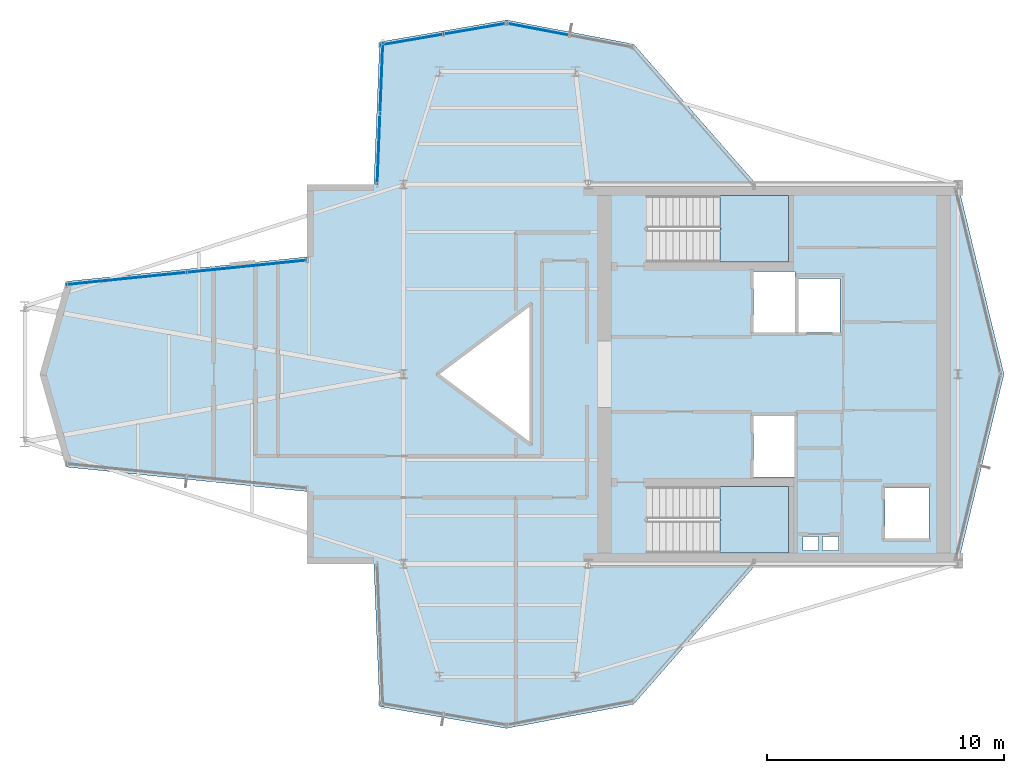
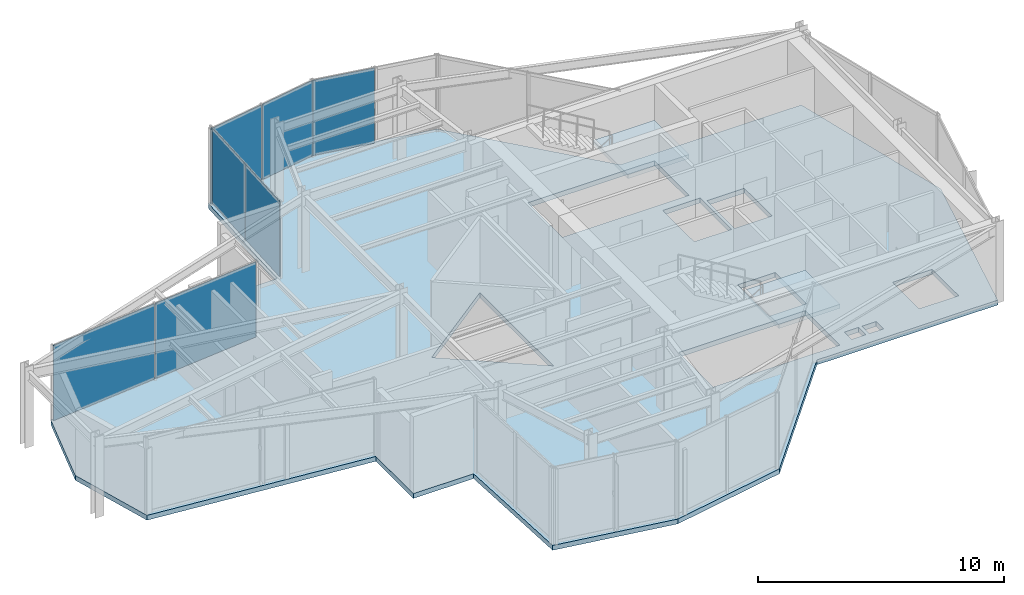
# One storey, part 10 of 14: 7 plates, 3 slabs, 6 elements without a shape of their own.
"""IFC4 building model written with IfcOpenShell, lengths in metres."""

from ifc_helpers import new_model, si_unit, direction, frame, origin, origin_2d, place, context, subcontext, project, spatial, polyline, rectangle, outline, extrude, material, layer, layer_set, type_object, element, aggregate, save


model = new_model("IFC4")

# Units and contexts
model_context = context("Model", 3, precision=1e-05, world=origin(), true_north=direction((0.0, 1.0)))
body_context = subcontext(model_context, "Body", "Model", "MODEL_VIEW")
ifc_project = project(units=[si_unit("LENGTHUNIT", "METRE"), si_unit("AREAUNIT", "SQUARE_METRE"), si_unit("VOLUMEUNIT", "CUBIC_METRE"), si_unit("PLANEANGLEUNIT", "RADIAN"), si_unit("MASSUNIT", "GRAM", prefix="KILO")], contexts=[model_context])

# Site, building, storey
site_placement = place(None, origin())
site = spatial("IfcSite", under=ifc_project, at=site_placement, CompositionType="ELEMENT")
building_placement = place(site_placement, origin())
building = spatial("IfcBuilding", under=site, at=building_placement, Name="Veymaron Broadcast Tower", CompositionType="ELEMENT")
storey_placement = place(building_placement, frame((0.0, 0.0, 270.89990234375)))
storey = spatial("IfcBuildingStorey", under=building, at=storey_placement, Name="L63", CompositionType="ELEMENT", Elevation=270.89990234375)

# Curtain wall, plate
ifc_material_1 = material(Name="Anodised aluminium AA 6063-T6 and laminated low-E dark glass", Category="aluminium")
ifc_layer_1 = layer(ifc_material_1, 0.179931640625)
ifc_layer_set_1 = layer_set([ifc_layer_1], Name="Anodised aluminium AA 6063-T6 and laminated low-E dark glass")
curtain_wall_type = type_object("IfcCurtainWallType", Name="CW-SYS-06", PredefinedType="NOTDEFINED", material=ifc_layer_set_1)
curtain_wall_1_placement = place(storey_placement, origin())
curtain_wall_1 = element("IfcCurtainWall", 1, at=curtain_wall_1_placement, inside=storey, type_object=curtain_wall_type, Name="L63 dark-glass curtain wall CW-L63-E6-1", PredefinedType="NOTDEFINED")
ifc_material_2 = material(Name="Insulated dark-anodised aluminium spandrel panel 40 mm", Category="aluminium")
ifc_layer_2 = layer(ifc_material_2, 0.0400390625)
ifc_layer_set_2 = layer_set([ifc_layer_2], Name="Insulated dark-anodised aluminium spandrel panel 40 mm")
plate_type = type_object("IfcPlateType", Name="CW-PNL-03", PredefinedType="CURTAIN_PANEL", material=ifc_layer_set_2)
plate_1_placement = place(storey_placement, frame((36.86669921875, 38.5537109375, 0.0400390625), z_axis=(0.0, 0.0, 1.0), x_axis=(-0.982479684732, 0.186369710761, 0.0)))
plate_1 = element("IfcPlate", 2, at=plate_1_placement, type_object=plate_type, Name="CW-L63-E6-1 unitised curtain panel 1", PredefinedType="CURTAIN_PANEL", context=body_context, shape_type="SweptSolid", body=[
    extrude(rectangle(XDim=2.6669921875, YDim=0.0400390625, at=origin_2d()), origin(), (0.0, 0.0, 1.0), 3.72998046875),
])
aggregate(curtain_wall_1, [plate_1])

# Curtain wall, plates
curtain_wall_2_placement = place(storey_placement, origin())
curtain_wall_2 = element("IfcCurtainWall", 3, at=curtain_wall_2_placement, inside=storey, type_object=curtain_wall_type, Name="L63 dark-glass curtain wall CW-L63-E7-1", PredefinedType="NOTDEFINED")
plate_2_placement = place(storey_placement, frame((34.2373046875, 38.576171875, 0.0400390625), z_axis=(0.0, 0.0, 1.0), x_axis=(-0.98545539152, -0.169934314736, 0.0)))
plate_2 = element("IfcPlate", 4, at=plate_2_placement, type_object=plate_type, Name="CW-L63-E7-1 unitised curtain panel 0", PredefinedType="CURTAIN_PANEL", context=body_context, shape_type="SweptSolid", body=[
    extrude(rectangle(XDim=2.65869140625, YDim=0.0400390625, at=origin_2d()), origin(), (0.0, 0.0, 1.0), 3.72998046875),
])
plate_3_placement = place(storey_placement, frame((31.558349609375, 38.1142578125, 0.0400390625), z_axis=(0.0, 0.0, 1.0), x_axis=(-0.98545539152, -0.169934314736, 0.0)))
plate_3 = element("IfcPlate", 5, at=plate_3_placement, type_object=plate_type, Name="CW-L63-E7-1 unitised curtain panel 1", PredefinedType="CURTAIN_PANEL", context=body_context, shape_type="SweptSolid", body=[
    extrude(rectangle(XDim=2.65869140625, YDim=0.0400390625, at=origin_2d()), origin(), (0.0, 0.0, 1.0), 3.72998046875),
])
aggregate(curtain_wall_2, [plate_2, plate_3])

curtain_wall_3_placement = place(storey_placement, origin())
curtain_wall_3 = element("IfcCurtainWall", 6, at=curtain_wall_3_placement, inside=storey, type_object=curtain_wall_type, Name="L63 dark-glass curtain wall CW-L63-E8-1", PredefinedType="NOTDEFINED")
plate_4_placement = place(storey_placement, frame((30.274658203125, 36.51025390625, 0.0400390625), z_axis=(0.0, 0.0, 1.0), x_axis=(-0.04004459622, -0.999197893469, 0.0)))
plate_4 = element("IfcPlate", 7, at=plate_4_placement, type_object=plate_type, Name="CW-L63-E8-1 unitised curtain panel 0", PredefinedType="CURTAIN_PANEL", context=body_context, shape_type="SweptSolid", body=[
    extrude(rectangle(XDim=2.952880859375, YDim=0.0400390625, at=origin_2d()), origin(), (0.0, 0.0, 1.0), 3.72998046875),
])
plate_5_placement = place(storey_placement, frame((30.15380859375, 33.499755859375, 0.0400390625), z_axis=(0.0, 0.0, 1.0), x_axis=(-0.04004459622, -0.999197893469, 0.0)))
plate_5 = element("IfcPlate", 8, at=plate_5_placement, type_object=plate_type, Name="CW-L63-E8-1 unitised curtain panel 1", PredefinedType="CURTAIN_PANEL", context=body_context, shape_type="SweptSolid", body=[
    extrude(rectangle(XDim=2.952880859375, YDim=0.0400390625, at=origin_2d()), origin(), (0.0, 0.0, 1.0), 3.72998046875),
])
aggregate(curtain_wall_3, [plate_4, plate_5])

curtain_wall_4_placement = place(storey_placement, origin())
curtain_wall_4 = element("IfcCurtainWall", 9, at=curtain_wall_4_placement, inside=storey, type_object=curtain_wall_type, Name="L63 dark-glass curtain wall CW-L63-E11-1", PredefinedType="NOTDEFINED")
plate_6_placement = place(storey_placement, frame((24.595458984375, 28.55126953125, 0.0400390625), z_axis=(0.0, 0.0, 1.0), x_axis=(-0.994870120783, -0.101160480293, 0.0)))
plate_6 = element("IfcPlate", 10, at=plate_6_placement, type_object=plate_type, Name="CW-L63-E11-1 unitised curtain panel 0", PredefinedType="CURTAIN_PANEL", context=body_context, shape_type="SweptSolid", body=[
    extrude(rectangle(XDim=5.047119140625, YDim=0.0400390625, at=origin_2d()), origin(), (0.0, 0.0, 1.0), 3.72998046875),
])
plate_7_placement = place(storey_placement, frame((19.5146484375, 28.03466796875, 0.0400390625), z_axis=(0.0, 0.0, 1.0), x_axis=(-0.994870120783, -0.101160480293, 0.0)))
plate_7 = element("IfcPlate", 11, at=plate_7_placement, type_object=plate_type, Name="CW-L63-E11-1 unitised curtain panel 1", PredefinedType="CURTAIN_PANEL", context=body_context, shape_type="SweptSolid", body=[
    extrude(rectangle(XDim=5.047119140625, YDim=0.0400390625, at=origin_2d()), origin(), (0.0, 0.0, 1.0), 3.72998046875),
])
aggregate(curtain_wall_4, [plate_6, plate_7])

# Slab
ifc_material_3 = material(Name="Concrete C40/50", Category="concrete")
ifc_layer_3 = layer(ifc_material_3, 0.239990234375)
ifc_layer_set_3 = layer_set([ifc_layer_3], Name="Concrete C40/50")
slab_type_1 = type_object("IfcSlabType", Name="SLAB-FS6", PredefinedType="FLOOR", material=ifc_layer_set_3)
slab_1_placement = place(storey_placement, frame((0.0, 0.0, -0.239990234375)))
element("IfcSlab", 12, at=slab_1_placement, inside=storey, type_object=slab_type_1, Name="L63 structural floor slab", PredefinedType="FLOOR", context=body_context, shape_type="SweptSolid", body=[
    extrude(outline(polyline([(46.099853515625, 16.0), (54.60009765625, 16.0), (56.540283203125, 24.0), (54.60009765625, 32.0), (46.099853515625, 32.0), (40.911376953125, 37.9287109375), (35.55322265625, 38.9453125), (30.195068359375, 38.021240234375), (29.95361328125, 32.0), (27.12158203125, 32.0), (27.12158203125, 28.94873046875), (16.9599609375, 27.91552734375), (15.851318359375, 24.0), (16.9599609375, 20.08447265625), (27.12158203125, 19.05126953125), (27.12158203125, 16.0), (29.95361328125, 16.0), (30.195068359375, 9.978759765625), (35.55322265625, 9.0546875), (40.911376953125, 10.0712890625), (46.099853515625, 16.0)]), holes=[polyline([(45.969970703125, 28.330078125), (47.72998046875, 28.330078125), (47.72998046875, 25.77001953125), (45.969970703125, 25.77001953125), (45.969970703125, 28.330078125)]), polyline([(45.969970703125, 22.22998046875), (47.72998046875, 22.22998046875), (47.72998046875, 19.669921875), (45.969970703125, 19.669921875), (45.969970703125, 22.22998046875)]), polyline([(47.8701171875, 28.030029296875), (49.6298828125, 28.030029296875), (49.6298828125, 25.77001953125), (47.8701171875, 25.77001953125), (47.8701171875, 28.030029296875)]), polyline([(51.52001953125, 19.22998046875), (53.3798828125, 19.22998046875), (53.3798828125, 17.070068359375), (51.52001953125, 17.070068359375), (51.52001953125, 19.22998046875)]), polyline([(48.050048828125, 17.159912109375), (48.719970703125, 17.159912109375), (48.719970703125, 16.56005859375), (48.050048828125, 16.56005859375), (48.050048828125, 17.159912109375)]), polyline([(48.8798828125, 17.159912109375), (49.550048828125, 17.159912109375), (49.550048828125, 16.56005859375), (48.8798828125, 16.56005859375), (48.8798828125, 17.159912109375)]), polyline([(36.60009765625, 27.0), (36.60009765625, 21.0), (32.60009765625, 24.0), (36.60009765625, 27.0)]), polyline([(41.489990234375, 31.550048828125), (47.43994140625, 31.550048828125), (47.43994140625, 28.72998046875), (41.489990234375, 28.72998046875), (41.489990234375, 31.550048828125)]), polyline([(41.489990234375, 19.27001953125), (47.43994140625, 19.27001953125), (47.43994140625, 16.449951171875), (41.489990234375, 16.449951171875), (41.489990234375, 19.27001953125)])]), origin(), (0.0, 0.0, 1.0), 0.239990234375),
])

# Stair, slab
ifc_material_4 = material(Name="Concrete C50/60", Category="concrete")
stair_type_1 = type_object("IfcStairType", Name="STAIR-CORE-1", PredefinedType="HALF_TURN_STAIR", material=ifc_material_4)
stair_1_placement = place(storey_placement, origin())
stair_1 = element("IfcStair", 13, at=stair_1_placement, inside=storey, type_object=stair_type_1, Name="L63 North protected dog-leg exit stair ST1", PredefinedType="HALF_TURN_STAIR")
ifc_layer_4 = layer(ifc_material_4, 0.199951171875)
ifc_layer_set_4 = layer_set([ifc_layer_4], Name="Concrete C50/60")
slab_type_2 = type_object("IfcSlabType", Name="SLAB-STAIR-LDG", PredefinedType="LANDING", material=ifc_layer_set_4)
slab_2_placement = place(storey_placement, frame((0.0, 0.0, 1.8251953125)))
slab_2 = element("IfcSlab", 14, at=slab_2_placement, type_object=slab_type_2, Name="ST1 landing 1", PredefinedType="LANDING", context=body_context, shape_type="SweptSolid", body=[
    extrude(outline(polyline([(44.56494140625, 28.72998046875), (47.43994140625, 28.72998046875), (47.43994140625, 31.550048828125), (44.56494140625, 31.550048828125), (44.56494140625, 28.72998046875)])), origin(), (0.0, 0.0, 1.0), 0.199951171875),
])
aggregate(stair_1, [slab_2])

stair_type_2 = type_object("IfcStairType", Name="STAIR-CORE-2", PredefinedType="HALF_TURN_STAIR", material=ifc_material_4)
stair_2_placement = place(storey_placement, origin())
stair_2 = element("IfcStair", 15, at=stair_2_placement, inside=storey, type_object=stair_type_2, Name="L63 South protected dog-leg exit stair ST2", PredefinedType="HALF_TURN_STAIR")
slab_3_placement = place(storey_placement, frame((0.0, 0.0, 1.8251953125)))
slab_3 = element("IfcSlab", 16, at=slab_3_placement, type_object=slab_type_2, Name="ST2 landing 1", PredefinedType="LANDING", context=body_context, shape_type="SweptSolid", body=[
    extrude(outline(polyline([(44.56494140625, 16.449951171875), (47.43994140625, 16.449951171875), (47.43994140625, 19.27001953125), (44.56494140625, 19.27001953125), (44.56494140625, 16.449951171875)])), origin(), (0.0, 0.0, 1.0), 0.199951171875),
])
aggregate(stair_2, [slab_3])

save(model, "model.ifc")
